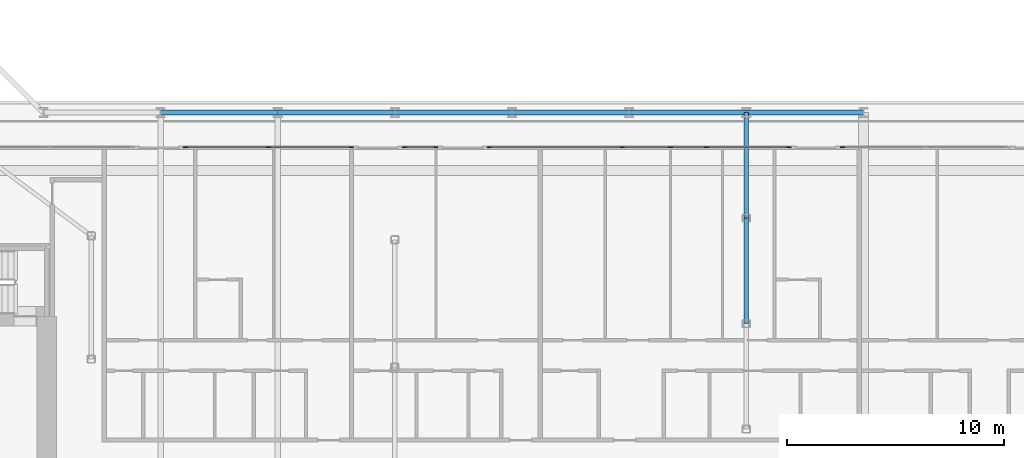
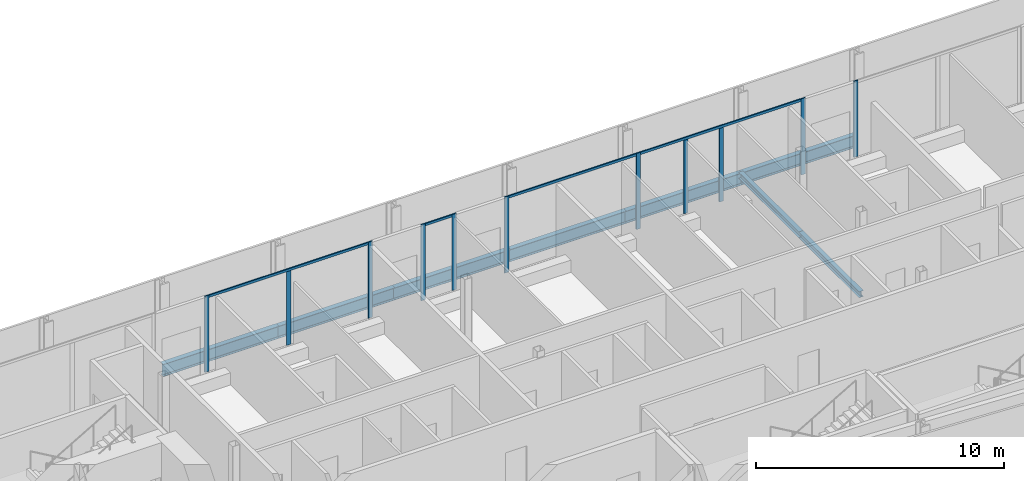
# One storey, part 6 of 25: 15 members, 8 beams, 5 elements without a shape of their own.
"""IFC4 building model written with IfcOpenShell, lengths in metres."""

from ifc_helpers import new_model, si_unit, direction, frame, origin, origin_2d, place, context, subcontext, project, spatial, rectangle, i_section, extrude, material, layer, layer_set, material_profile, profile_set, type_object, element, aggregate, save


model = new_model("IFC4")

# Units and contexts
model_context = context("Model", 3, precision=1e-05, world=origin(), true_north=direction((0.0, 1.0)))
body_context = subcontext(model_context, "Body", "Model", "MODEL_VIEW")
ifc_project = project(units=[si_unit("LENGTHUNIT", "METRE"), si_unit("AREAUNIT", "SQUARE_METRE"), si_unit("VOLUMEUNIT", "CUBIC_METRE"), si_unit("PLANEANGLEUNIT", "RADIAN"), si_unit("MASSUNIT", "GRAM", prefix="KILO")], contexts=[model_context])

# Site, building, storey
site_placement = place(None, origin())
site = spatial("IfcSite", under=ifc_project, at=site_placement, CompositionType="ELEMENT")
building_placement = place(site_placement, origin())
building = spatial("IfcBuilding", under=site, at=building_placement, Name="Kheshtan School and Residences Tower", CompositionType="ELEMENT")
storey_placement = place(building_placement, frame((0.0, 0.0, 113.60009765625)))
storey = spatial("IfcBuildingStorey", under=building, at=storey_placement, Name="L26", CompositionType="ELEMENT", Elevation=113.60009765625)

# Beams
ifc_material_1 = material(Name="Steel ASTM A992 Grade 50", Category="steel")
ifc_material_profile_1 = material_profile(ifc_material_1, i_section(OverallWidth=0.202880859375, OverallDepth=0.302978515625, WebThickness=0.007568359375, FlangeThickness=0.01318359375, FilletRadius=0.009033203125, at=origin_2d()), Name="W310x60")
ifc_profile_set_1 = profile_set([ifc_material_profile_1], Name="Steel ASTM A992 Grade 50")
beam_type_1 = type_object("IfcBeamType", Name="Beam FB1 W310x60 ASTM A992 Grade 50", PredefinedType="BEAM", material=ifc_profile_set_1)
for number, where, z_axis, x_axis, name in (
    (1, (85.39990234375, 45.60009765625, -0.301513671875), (0.0, -1.0, 0.0), (1.0, 0.0, 0.0), "Floor beam C067"),
    (2, (85.39990234375, 40.735107421875, -0.301513671875), (0.0, -1.0, 0.0), (1.0, 0.0, 0.0), "Floor beam IC"),
):
    element("IfcBeam", number, at=place(storey_placement, frame(where, z_axis=z_axis, x_axis=x_axis)), inside=storey, type_object=beam_type_1, Name=name, PredefinedType="BEAM", context=body_context, shape_type="SweptSolid", body=[
        extrude(i_section(OverallWidth=0.202880859375, OverallDepth=0.302978515625, WebThickness=0.007568359375, FlangeThickness=0.01318359375, FilletRadius=0.009033203125, at=origin_2d()), origin(), (0.0, 0.0, 1.0), 4.864990234375),
    ])
ifc_material_profile_2 = material_profile(ifc_material_1, i_section(OverallWidth=0.22802734375, OverallDepth=0.60302734375, WebThickness=0.010498046875, FlangeThickness=0.014892578125, FilletRadius=0.013427734375, at=origin_2d()), Name="W610x101")
ifc_profile_set_2 = profile_set([ifc_material_profile_2], Name="Steel ASTM A992 Grade 50")
beam_type_2 = type_object("IfcBeamType", Name="Beam SP2 W610x101 ASTM A992 Grade 50", PredefinedType="BEAM", material=ifc_profile_set_2)
beam_1_placement = place(storey_placement, frame((58.39990234375, 45.60009765625, -0.45166015625), z_axis=(1.0, 0.0, 0.0), x_axis=(0.0, 1.0, 0.0)))
element("IfcBeam", 3, at=beam_1_placement, inside=storey, type_object=beam_type_2, Name="Spandrel beam C062-C063", PredefinedType="BEAM", context=body_context, shape_type="SweptSolid", body=[
    extrude(i_section(OverallWidth=0.22802734375, OverallDepth=0.60302734375, WebThickness=0.010498046875, FlangeThickness=0.014892578125, FilletRadius=0.013427734375, at=origin_2d()), origin(), (0.0, 0.0, 1.0), 5.400146484375),
])
beam_2_placement = place(storey_placement, frame((63.800048828125, 45.60009765625, -0.45166015625), z_axis=(1.0, 0.0, 0.0), x_axis=(0.0, 1.0, 0.0)))
element("IfcBeam", 4, at=beam_2_placement, inside=storey, type_object=beam_type_2, Name="Spandrel beam C063-C064", PredefinedType="BEAM", context=body_context, shape_type="SweptSolid", body=[
    extrude(i_section(OverallWidth=0.22802734375, OverallDepth=0.60302734375, WebThickness=0.010498046875, FlangeThickness=0.014892578125, FilletRadius=0.013427734375, at=origin_2d()), origin(), (0.0, 0.0, 1.0), 5.39990234375),
])
beam_3_placement = place(storey_placement, frame((69.199951171875, 45.60009765625, -0.45166015625), z_axis=(1.0, 0.0, 0.0), x_axis=(0.0, 1.0, 0.0)))
element("IfcBeam", 5, at=beam_3_placement, inside=storey, type_object=beam_type_2, Name="Spandrel beam C064-C065", PredefinedType="BEAM", context=body_context, shape_type="SweptSolid", body=[
    extrude(i_section(OverallWidth=0.22802734375, OverallDepth=0.60302734375, WebThickness=0.010498046875, FlangeThickness=0.014892578125, FilletRadius=0.013427734375, at=origin_2d()), origin(), (0.0, 0.0, 1.0), 5.400146484375),
])
for number, where, z_axis, x_axis, name in (
    (6, (74.60009765625, 45.60009765625, -0.45166015625), (1.0, 0.0, 0.0), (0.0, 1.0, 0.0), "Spandrel beam C065-C066"),
    (7, (80.0, 45.60009765625, -0.45166015625), (1.0, 0.0, 0.0), (0.0, 1.0, 0.0), "Spandrel beam C066-C067"),
):
    element("IfcBeam", number, at=place(storey_placement, frame(where, z_axis=z_axis, x_axis=x_axis)), inside=storey, type_object=beam_type_2, Name=name, PredefinedType="BEAM", context=body_context, shape_type="SweptSolid", body=[
        extrude(i_section(OverallWidth=0.22802734375, OverallDepth=0.60302734375, WebThickness=0.010498046875, FlangeThickness=0.014892578125, FilletRadius=0.013427734375, at=origin_2d()), origin(), (0.0, 0.0, 1.0), 5.39990234375),
    ])
beam_4_placement = place(storey_placement, frame((85.39990234375, 45.60009765625, -0.45166015625), z_axis=(1.0, 0.0, 0.0), x_axis=(0.0, 1.0, 0.0)))
element("IfcBeam", 8, at=beam_4_placement, inside=storey, type_object=beam_type_2, Name="Spandrel beam C067-C068", PredefinedType="BEAM", context=body_context, shape_type="SweptSolid", body=[
    extrude(i_section(OverallWidth=0.22802734375, OverallDepth=0.60302734375, WebThickness=0.010498046875, FlangeThickness=0.014892578125, FilletRadius=0.013427734375, at=origin_2d()), origin(), (0.0, 0.0, 1.0), 5.400146484375),
])

# Curtain wall, members
ifc_material_2 = material(Name="Clear low-e glass in thermally broken aluminium frame", Category="aluminium")
ifc_layer = layer(ifc_material_2, 0.199951171875)
ifc_layer_set = layer_set([ifc_layer], Name="Curtain wall CW-L")
curtain_wall_type = type_object("IfcCurtainWallType", Name="Curtain wall CW-L", PredefinedType="NOTDEFINED", material=ifc_layer_set)
curtain_wall_1_placement = place(storey_placement, origin())
curtain_wall_1 = element("IfcCurtainWall", 9, at=curtain_wall_1_placement, inside=storey, type_object=curtain_wall_type, Name="Curtain wall CWL8", PredefinedType="NOTDEFINED")
ifc_material_3 = material(Name="Thermally broken aluminium, dark bronze anodised", Category="aluminium")
ifc_material_profile_3 = material_profile(ifc_material_3, rectangle(XDim=0.06005859375, YDim=0.199951171875, at=origin_2d()), Name="CW-L mullion 60x200")
ifc_profile_set_3 = profile_set([ifc_material_profile_3], Name="Thermally broken aluminium, dark bronze anodised")
member_type_1 = type_object("IfcMemberType", Name="CW-L mullion 60x200", PredefinedType="MULLION", material=ifc_profile_set_3)
member_1_placement = place(storey_placement, frame((59.553955078125, 44.0, 0.0), z_axis=(0.0, 0.0, 1.0), x_axis=(0.0, 1.0, 0.0)))
member_1 = element("IfcMember", 10, at=member_1_placement, type_object=member_type_1, Name="CWL8 mullion 1", PredefinedType="MULLION", context=body_context, shape_type="SweptSolid", body=[
    extrude(rectangle(XDim=0.06005859375, YDim=0.199951171875, at=origin_2d()), origin(), (0.0, 0.0, 1.0), 3.75),
])
member_2_placement = place(storey_placement, frame((63.37109375, 44.0, 0.0), z_axis=(0.0, 0.0, 1.0), x_axis=(0.0, 1.0, 0.0)))
member_2 = element("IfcMember", 11, at=member_2_placement, type_object=member_type_1, Name="CWL8 mullion 2", PredefinedType="MULLION", context=body_context, shape_type="SweptSolid", body=[
    extrude(rectangle(XDim=0.06005859375, YDim=0.199951171875, at=origin_2d()), origin(), (0.0, 0.0, 1.0), 3.6298828125),
])
member_3_placement = place(storey_placement, frame((67.18798828125, 44.0, 0.0), z_axis=(0.0, 0.0, 1.0), x_axis=(0.0, 1.0, 0.0)))
member_3 = element("IfcMember", 12, at=member_3_placement, type_object=member_type_1, Name="CWL8 mullion 3", PredefinedType="MULLION", context=body_context, shape_type="SweptSolid", body=[
    extrude(rectangle(XDim=0.06005859375, YDim=0.199951171875, at=origin_2d()), origin(), (0.0, 0.0, 1.0), 3.75),
])

curtain_wall_2_placement = place(storey_placement, origin())
curtain_wall_2 = element("IfcCurtainWall", 13, at=curtain_wall_2_placement, inside=storey, type_object=curtain_wall_type, Name="Curtain wall CWL8a", PredefinedType="NOTDEFINED")
member_4_placement = place(storey_placement, frame((69.64794921875, 44.0, 0.0), z_axis=(0.0, 0.0, 1.0), x_axis=(0.0, 1.0, 0.0)))
member_4 = element("IfcMember", 14, at=member_4_placement, type_object=member_type_1, Name="CWL8a mullion 1", PredefinedType="MULLION", context=body_context, shape_type="SweptSolid", body=[
    extrude(rectangle(XDim=0.06005859375, YDim=0.199951171875, at=origin_2d()), origin(), (0.0, 0.0, 1.0), 3.75),
])
member_5_placement = place(storey_placement, frame((71.087890625, 44.0, 0.0), z_axis=(0.0, 0.0, 1.0), x_axis=(0.0, 1.0, 0.0)))
member_5 = element("IfcMember", 15, at=member_5_placement, type_object=member_type_1, Name="CWL8a mullion 2", PredefinedType="MULLION", context=body_context, shape_type="SweptSolid", body=[
    extrude(rectangle(XDim=0.06005859375, YDim=0.199951171875, at=origin_2d()), origin(), (0.0, 0.0, 1.0), 3.75),
])

curtain_wall_3_placement = place(storey_placement, origin())
curtain_wall_3 = element("IfcCurtainWall", 16, at=curtain_wall_3_placement, inside=storey, type_object=curtain_wall_type, Name="Curtain wall CWL8d", PredefinedType="NOTDEFINED")
member_6_placement = place(storey_placement, frame((73.548095703125, 44.0, 0.0), z_axis=(0.0, 0.0, 1.0), x_axis=(0.0, 1.0, 0.0)))
member_6 = element("IfcMember", 17, at=member_6_placement, type_object=member_type_1, Name="CWL8d mullion 1", PredefinedType="MULLION", context=body_context, shape_type="SweptSolid", body=[
    extrude(rectangle(XDim=0.06005859375, YDim=0.199951171875, at=origin_2d()), origin(), (0.0, 0.0, 1.0), 3.75),
])
member_7_placement = place(storey_placement, frame((79.681884765625, 44.0, 0.0), z_axis=(0.0, 0.0, 1.0), x_axis=(0.0, 1.0, 0.0)))
member_7 = element("IfcMember", 18, at=member_7_placement, type_object=member_type_1, Name="CWL8d mullion 2", PredefinedType="MULLION", context=body_context, shape_type="SweptSolid", body=[
    extrude(rectangle(XDim=0.06005859375, YDim=0.199951171875, at=origin_2d()), origin(), (0.0, 0.0, 1.0), 3.75),
])

curtain_wall_4_placement = place(storey_placement, origin())
curtain_wall_4 = element("IfcCurtainWall", 19, at=curtain_wall_4_placement, inside=storey, type_object=curtain_wall_type, Name="Curtain wall CWL8c", PredefinedType="NOTDEFINED")
member_8_placement = place(storey_placement, frame((81.89990234375, 44.0, 0.0), z_axis=(0.0, 0.0, 1.0), x_axis=(0.0, 1.0, 0.0)))
member_8 = element("IfcMember", 20, at=member_8_placement, type_object=member_type_1, Name="CWL8c mullion 2", PredefinedType="MULLION", context=body_context, shape_type="SweptSolid", body=[
    extrude(rectangle(XDim=0.06005859375, YDim=0.199951171875, at=origin_2d()), origin(), (0.0, 0.0, 1.0), 3.6298828125),
])
member_9_placement = place(storey_placement, frame((83.55908203125, 44.0, 0.0), z_axis=(0.0, 0.0, 1.0), x_axis=(0.0, 1.0, 0.0)))
member_9 = element("IfcMember", 21, at=member_9_placement, type_object=member_type_1, Name="CWL8c mullion 3", PredefinedType="MULLION", context=body_context, shape_type="SweptSolid", body=[
    extrude(rectangle(XDim=0.06005859375, YDim=0.199951171875, at=origin_2d()), origin(), (0.0, 0.0, 1.0), 3.6298828125),
])
member_10_placement = place(storey_placement, frame((87.3759765625, 44.0, 0.0), z_axis=(0.0, 0.0, 1.0), x_axis=(0.0, 1.0, 0.0)))
member_10 = element("IfcMember", 22, at=member_10_placement, type_object=member_type_1, Name="CWL8c mullion 4", PredefinedType="MULLION", context=body_context, shape_type="SweptSolid", body=[
    extrude(rectangle(XDim=0.06005859375, YDim=0.199951171875, at=origin_2d()), origin(), (0.0, 0.0, 1.0), 3.75),
])

# Curtain wall, member
curtain_wall_5_placement = place(storey_placement, origin())
curtain_wall_5 = element("IfcCurtainWall", 23, at=curtain_wall_5_placement, inside=storey, type_object=curtain_wall_type, Name="Curtain wall CWL8", PredefinedType="NOTDEFINED")
member_11_placement = place(storey_placement, frame((89.8359375, 44.0, 0.0), z_axis=(0.0, 0.0, 1.0), x_axis=(0.0, 1.0, 0.0)))
member_11 = element("IfcMember", 24, at=member_11_placement, type_object=member_type_1, Name="CWL8 mullion 1", PredefinedType="MULLION", context=body_context, shape_type="SweptSolid", body=[
    extrude(rectangle(XDim=0.06005859375, YDim=0.199951171875, at=origin_2d()), origin(), (0.0, 0.0, 1.0), 3.75),
])
aggregate(curtain_wall_5, [member_11])

# Member
ifc_material_profile_4 = material_profile(ifc_material_3, rectangle(XDim=0.06005859375, YDim=0.1201171875, at=origin_2d()), Name="CW-L transom 60x120")
ifc_profile_set_4 = profile_set([ifc_material_profile_4], Name="Thermally broken aluminium, dark bronze anodised")
member_type_2 = type_object("IfcMemberType", Name="CW-L transom 60x120", PredefinedType="USERDEFINED", material=ifc_profile_set_4)
member_12_placement = place(storey_placement, frame((59.583984375, 44.0, 3.68994140625), z_axis=(1.0, 0.0, 0.0), x_axis=(0.0, 1.0, 0.0)))
member_12 = element("IfcMember", 25, at=member_12_placement, type_object=member_type_2, Name="CWL8 transom 1", ObjectType="TRANSOM", PredefinedType="USERDEFINED", context=body_context, shape_type="SweptSolid", body=[
    extrude(rectangle(XDim=0.06005859375, YDim=0.1201171875, at=origin_2d()), origin(), (0.0, 0.0, 1.0), 7.573974609375),
])

aggregate(curtain_wall_1, [member_1, member_2, member_3, member_12])

member_13_placement = place(storey_placement, frame((69.677978515625, 44.0, 3.68994140625), z_axis=(1.0, 0.0, 0.0), x_axis=(0.0, 1.0, 0.0)))
member_13 = element("IfcMember", 26, at=member_13_placement, type_object=member_type_2, Name="CWL8a transom 1", ObjectType="TRANSOM", PredefinedType="USERDEFINED", context=body_context, shape_type="SweptSolid", body=[
    extrude(rectangle(XDim=0.06005859375, YDim=0.1201171875, at=origin_2d()), origin(), (0.0, 0.0, 1.0), 1.380126953125),
])

aggregate(curtain_wall_2, [member_4, member_5, member_13])

member_14_placement = place(storey_placement, frame((73.577880859375, 44.0, 3.68994140625), z_axis=(1.0, 0.0, 0.0), x_axis=(0.0, 1.0, 0.0)))
member_14 = element("IfcMember", 27, at=member_14_placement, type_object=member_type_2, Name="CWL8d transom 1", ObjectType="TRANSOM", PredefinedType="USERDEFINED", context=body_context, shape_type="SweptSolid", body=[
    extrude(rectangle(XDim=0.06005859375, YDim=0.1201171875, at=origin_2d()), origin(), (0.0, 0.0, 1.0), 6.07421875),
])

aggregate(curtain_wall_3, [member_6, member_7, member_14])

member_15_placement = place(storey_placement, frame((79.7119140625, 44.0, 3.68994140625), z_axis=(1.0, 0.0, 0.0), x_axis=(0.0, 1.0, 0.0)))
member_15 = element("IfcMember", 28, at=member_15_placement, type_object=member_type_2, Name="CWL8c transom 1", ObjectType="TRANSOM", PredefinedType="USERDEFINED", context=body_context, shape_type="SweptSolid", body=[
    extrude(rectangle(XDim=0.06005859375, YDim=0.1201171875, at=origin_2d()), origin(), (0.0, 0.0, 1.0), 7.634033203125),
])

aggregate(curtain_wall_4, [member_8, member_9, member_10, member_15])

save(model, "model.ifc")
